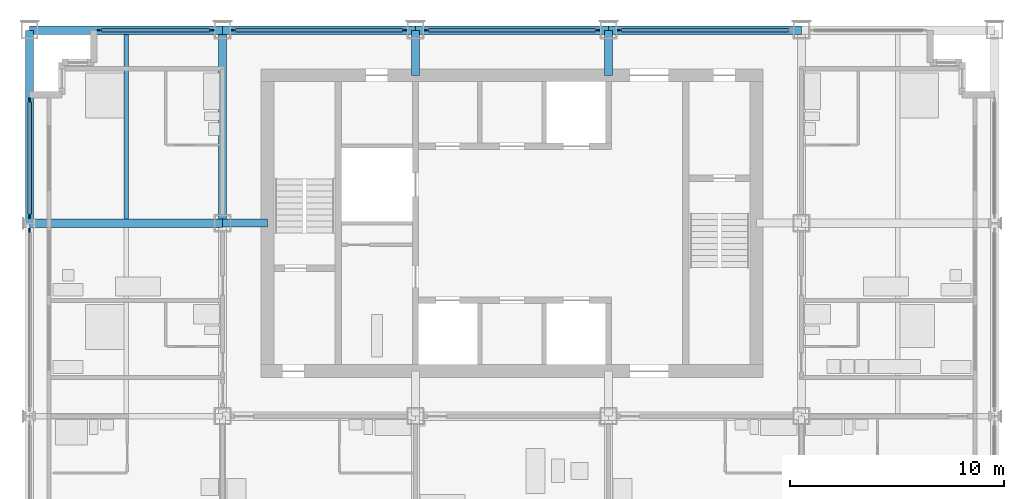
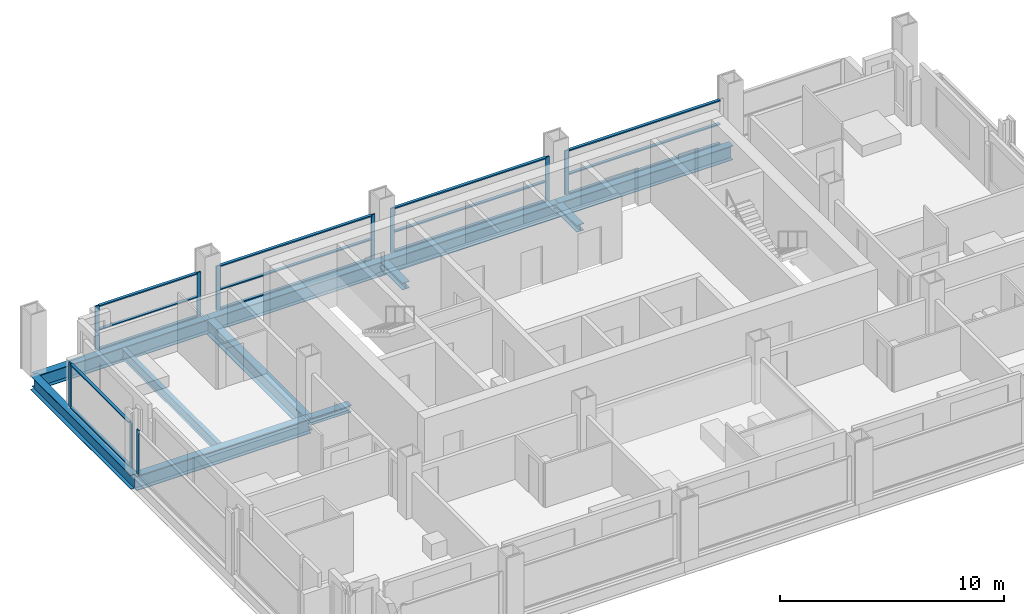
# One storey, part 4 of 13: 27 members, 8 beams, 6 elements without a shape of their own.
"""IFC4 building model written with IfcOpenShell, lengths in metres."""

from ifc_helpers import new_model, si_unit, direction, frame, origin, origin_2d, place, context, subcontext, project, spatial, rectangle, i_section, extrude, material, material_profile, profile_set, type_object, element, aggregate, save


model = new_model("IFC4")

# Units and contexts
model_context = context("Model", 3, precision=1e-05, world=origin(), true_north=direction((0.0, 1.0)))
body_context = subcontext(model_context, "Body", "Model", "MODEL_VIEW")
ifc_project = project(units=[si_unit("LENGTHUNIT", "METRE"), si_unit("AREAUNIT", "SQUARE_METRE"), si_unit("VOLUMEUNIT", "CUBIC_METRE"), si_unit("PLANEANGLEUNIT", "RADIAN"), si_unit("MASSUNIT", "GRAM", prefix="KILO")], contexts=[model_context])

# Site, building, storey
site_placement = place(None, origin())
site = spatial("IfcSite", under=ifc_project, at=site_placement, CompositionType="ELEMENT")
building_placement = place(site_placement, origin())
building = spatial("IfcBuilding", under=site, at=building_placement, Name="Loomwork Tower", CompositionType="ELEMENT")
storey_placement = place(building_placement, frame((0.0, 0.0, 180.800048828125)))
storey = spatial("IfcBuildingStorey", under=building, at=storey_placement, Name="L49", CompositionType="ELEMENT", Elevation=180.800048828125)

# Beams
ifc_material_1 = material(Name="Steel ASTM A992", Category="steel")
ifc_material_profile_1 = material_profile(ifc_material_1, i_section(OverallWidth=0.383544921875, OverallDepth=0.794921875, WebThickness=0.02099609375, FlangeThickness=0.0380859375, at=origin_2d()), Name="W30x235")
ifc_profile_set_1 = profile_set([ifc_material_profile_1], Name="Steel ASTM A992")
beam_type_1 = type_object("IfcBeamType", Name="CORE FLANK GIRDER W30x235", PredefinedType="BEAM", material=ifc_profile_set_1)
for number, where, z_axis, x_axis, name in (
    (1, (0.0, 18.0, -0.59765625), (1.0, 0.0, 0.0), (0.0, 1.0, 0.0), "Core Flank Girder F/2-F/3 L49"),
    (2, (9.0, 18.0, -0.59765625), (0.0, 1.0, 0.0), (-1.0, 0.0, 0.0), "Core Flank Girder F/3-G/3 L49"),
):
    element("IfcBeam", number, at=place(storey_placement, frame(where, z_axis=z_axis, x_axis=x_axis)), inside=storey, type_object=beam_type_1, Name=name, PredefinedType="BEAM", context=body_context, shape_type="SweptSolid", body=[
        extrude(i_section(OverallWidth=0.383544921875, OverallDepth=0.794921875, WebThickness=0.02099609375, FlangeThickness=0.0380859375, at=origin_2d()), origin(), (0.0, 0.0, 1.0), 9.0),
    ])

# Members
ifc_material_2 = material(Name="Steel ASTM A992", Category="steel")
ifc_material_profile_2 = material_profile(ifc_material_2, i_section(OverallWidth=0.373291015625, OverallDepth=0.373291015625, WebThickness=0.016357421875, FlangeThickness=0.026123046875, at=origin_2d()), Name="W14x132")
ifc_profile_set_2 = profile_set([ifc_material_profile_2], Name="Steel ASTM A992")
member_type_1 = type_object("IfcMemberType", Name="CORE LINK STRUT W14x132", PredefinedType="STRUT", material=ifc_profile_set_2)
for number, where, z_axis, x_axis, name in (
    (3, (27.0, 27.0, -0.38671875), (0.0, -1.0, 0.0), (1.0, 0.0, 0.0), "Core link strut G/5-27.000,24.900 L49"),
    (4, (18.0, 27.0, -0.38671875), (0.0, -1.0, 0.0), (1.0, 0.0, 0.0), "Core link strut G/4-18.000,24.900 L49"),
    (5, (9.0, 18.0, -0.38671875), (1.0, 0.0, 0.0), (0.0, 1.0, 0.0), "Core link strut F/3-11.100,18.000 L49"),
):
    element("IfcMember", number, at=place(storey_placement, frame(where, z_axis=z_axis, x_axis=x_axis)), inside=storey, type_object=member_type_1, Name=name, PredefinedType="STRUT", context=body_context, shape_type="SweptSolid", body=[
        extrude(i_section(OverallWidth=0.373291015625, OverallDepth=0.373291015625, WebThickness=0.016357421875, FlangeThickness=0.026123046875, at=origin_2d()), origin(), (0.0, 0.0, 1.0), 2.10009765625),
    ])

# Beam
ifc_material_3 = material(Name="Steel ASTM A992", Category="steel")
ifc_material_profile_3 = material_profile(ifc_material_3, i_section(OverallWidth=0.2109375, OverallDepth=0.53857421875, WebThickness=0.011474609375, FlangeThickness=0.018798828125, at=origin_2d()), Name="W21x73")
ifc_profile_set_3 = profile_set([ifc_material_profile_3], Name="Steel ASTM A992")
beam_type_2 = type_object("IfcBeamType", Name="FLOOR JOIST W21x73", PredefinedType="JOIST", material=ifc_profile_set_3)
beam_placement = place(storey_placement, frame((4.5, 18.19091796875, -0.46923828125), z_axis=(0.0, 1.0, 0.0), x_axis=(-1.0, 0.0, 0.0)))
element("IfcBeam", 6, at=beam_placement, inside=storey, type_object=beam_type_2, Name="Floor Joist 4.500,18.000-4.500,27.000 L49", PredefinedType="JOIST", context=body_context, shape_type="SweptSolid", body=[
    extrude(i_section(OverallWidth=0.2109375, OverallDepth=0.53857421875, WebThickness=0.011474609375, FlangeThickness=0.018798828125, at=origin_2d()), origin(), (0.0, 0.0, 1.0), 8.619140625),
])

# Curtain wall, member
ifc_material_4 = material(Name="Aluminium curtain wall frame", Category="aluminium")
curtain_wall_type_1 = type_object("IfcCurtainWallType", Name="Outer skin glazing hotel", PredefinedType="NOTDEFINED", material=ifc_material_4)
curtain_wall_1_placement = place(storey_placement, origin())
curtain_wall_1 = element("IfcCurtainWall", 7, at=curtain_wall_1_placement, inside=storey, type_object=curtain_wall_type_1, Name="Outer skin glazing hotel cw/W-9", PredefinedType="NOTDEFINED")
ifc_material_5 = material(Name="Aluminium curtain wall frame", Category="aluminium")
ifc_material_profile_4 = material_profile(ifc_material_5, rectangle(XDim=0.06494140625, YDim=0.199951171875, at=origin_2d()), Name="AL 65x200")
ifc_profile_set_4 = profile_set([ifc_material_profile_4], Name="Aluminium curtain wall frame")
member_type_2 = type_object("IfcMemberType", Name="Outer skin glazing hotel mullion", PredefinedType="MULLION", material=ifc_profile_set_4)
member_1_placement = place(storey_placement, frame((0.0, 17.67529296875, 0.0), z_axis=(0.0, 0.0, 1.0), x_axis=(1.0, 0.0, 0.0)))
member_1 = element("IfcMember", 8, at=member_1_placement, type_object=member_type_2, Name="CW1 mullion 1", PredefinedType="MULLION", context=body_context, shape_type="SweptSolid", body=[
    extrude(rectangle(XDim=0.06494140625, YDim=0.199951171875, at=origin_2d()), origin(), (0.0, 0.0, 1.0), 2.420166015625),
])
aggregate(curtain_wall_1, [member_1])

# Curtain wall, members
curtain_wall_2_placement = place(storey_placement, origin())
curtain_wall_2 = element("IfcCurtainWall", 9, at=curtain_wall_2_placement, inside=storey, type_object=curtain_wall_type_1, Name="Outer skin glazing hotel cw/W-18", PredefinedType="NOTDEFINED")
member_2_placement = place(storey_placement, frame((0.0, 23.75, 0.0), z_axis=(0.0, 0.0, 1.0), x_axis=(1.0, 0.0, 0.0)))
member_2 = element("IfcMember", 10, at=member_2_placement, type_object=member_type_2, Name="CW1 mullion 1", PredefinedType="MULLION", context=body_context, shape_type="SweptSolid", body=[
    extrude(rectangle(XDim=0.06494140625, YDim=0.199951171875, at=origin_2d()), origin(), (0.0, 0.0, 1.0), 2.420166015625),
])
member_3_placement = place(storey_placement, frame((0.0, 18.32470703125, 0.0), z_axis=(0.0, 0.0, 1.0), x_axis=(1.0, 0.0, 0.0)))
member_3 = element("IfcMember", 11, at=member_3_placement, type_object=member_type_2, Name="CW1 mullion 2", PredefinedType="MULLION", context=body_context, shape_type="SweptSolid", body=[
    extrude(rectangle(XDim=0.06494140625, YDim=0.199951171875, at=origin_2d()), origin(), (0.0, 0.0, 1.0), 2.420166015625),
])
ifc_material_6 = material(Name="Aluminium curtain wall frame", Category="aluminium")
ifc_material_profile_5 = material_profile(ifc_material_6, rectangle(XDim=0.14990234375, YDim=0.06494140625, at=origin_2d()), Name="AL 65x150")
ifc_profile_set_5 = profile_set([ifc_material_profile_5], Name="Aluminium curtain wall frame")
member_type_3 = type_object("IfcMemberType", Name="Outer skin glazing hotel transom", PredefinedType="USERDEFINED", material=ifc_profile_set_5)
member_4_placement = place(storey_placement, frame((0.0, 23.64990234375, 0.032470703125), z_axis=(0.0, -1.0, 0.0), x_axis=(1.0, 0.0, 0.0)))
member_4 = element("IfcMember", 12, at=member_4_placement, type_object=member_type_3, Name="CW1 transom 1.1", ObjectType="TRANSOM", PredefinedType="USERDEFINED", context=body_context, shape_type="SweptSolid", body=[
    extrude(rectangle(XDim=0.14990234375, YDim=0.06494140625, at=origin_2d()), origin(), (0.0, 0.0, 1.0), 5.22509765625),
])
member_5_placement = place(storey_placement, frame((0.0, 23.64990234375, 2.3876953125), z_axis=(0.0, -1.0, 0.0), x_axis=(1.0, 0.0, 0.0)))
member_5 = element("IfcMember", 13, at=member_5_placement, type_object=member_type_3, Name="CW1 transom 1.2", ObjectType="TRANSOM", PredefinedType="USERDEFINED", context=body_context, shape_type="SweptSolid", body=[
    extrude(rectangle(XDim=0.14990234375, YDim=0.06494140625, at=origin_2d()), origin(), (0.0, 0.0, 1.0), 5.22509765625),
])
aggregate(curtain_wall_2, [member_2, member_3, member_4, member_5])

# Beams
ifc_material_7 = material(Name="Steel ASTM A992", Category="steel")
ifc_material_profile_6 = material_profile(ifc_material_7, i_section(OverallWidth=0.381103515625, OverallDepth=0.77978515625, WebThickness=0.01806640625, FlangeThickness=0.0302734375, at=origin_2d()), Name="W30x191")
ifc_profile_set_6 = profile_set([ifc_material_profile_6], Name="Steel ASTM A992")
beam_type_3 = type_object("IfcBeamType", Name="SPANDREL GIRDER W30x191", PredefinedType="SPANDREL", material=ifc_profile_set_6)
for number, where, z_axis, x_axis, name in (
    (14, (0.0, 27.0, -0.58984375), (1.0, 0.0, 0.0), (0.0, 1.0, 0.0), "Spandrel Girder G/2-G/3 L49"),
    (15, (9.0, 27.0, -0.58984375), (1.0, 0.0, 0.0), (0.0, 1.0, 0.0), "Spandrel Girder G/3-G/4 L49"),
    (16, (18.0, 27.0, -0.58984375), (1.0, 0.0, 0.0), (0.0, 1.0, 0.0), "Spandrel Girder G/4-G/5 L49"),
    (17, (27.0, 27.0, -0.58984375), (1.0, 0.0, 0.0), (0.0, 1.0, 0.0), "Spandrel Girder G/5-G/6 L49"),
    (18, (0.0, 18.0, -0.58984375), (0.0, 1.0, 0.0), (-1.0, 0.0, 0.0), "Spandrel Girder F/2-G/2 L49"),
):
    element("IfcBeam", number, at=place(storey_placement, frame(where, z_axis=z_axis, x_axis=x_axis)), inside=storey, type_object=beam_type_3, Name=name, PredefinedType="SPANDREL", context=body_context, shape_type="SweptSolid", body=[
        extrude(i_section(OverallWidth=0.381103515625, OverallDepth=0.77978515625, WebThickness=0.01806640625, FlangeThickness=0.0302734375, at=origin_2d()), origin(), (0.0, 0.0, 1.0), 9.0),
    ])

# Curtain wall, members
ifc_material_8 = material(Name="Aluminium curtain wall frame", Category="aluminium")
curtain_wall_type_2 = type_object("IfcCurtainWallType", Name="Single skin glazing corridor", PredefinedType="NOTDEFINED", material=ifc_material_8)
curtain_wall_3_placement = place(storey_placement, origin())
curtain_wall_3 = element("IfcCurtainWall", 19, at=curtain_wall_3_placement, inside=storey, type_object=curtain_wall_type_2, Name="Single skin glazing corridor cw/N-0", PredefinedType="NOTDEFINED")
ifc_material_9 = material(Name="Aluminium curtain wall frame", Category="aluminium")
ifc_material_profile_7 = material_profile(ifc_material_9, rectangle(XDim=0.06494140625, YDim=0.199951171875, at=origin_2d()), Name="AL 65x200")
ifc_profile_set_7 = profile_set([ifc_material_profile_7], Name="Aluminium curtain wall frame")
member_type_4 = type_object("IfcMemberType", Name="Single skin glazing corridor mullion", PredefinedType="MULLION", material=ifc_profile_set_7)
member_6_placement = place(storey_placement, frame((8.5, 27.0, 0.0), z_axis=(0.0, 0.0, 1.0), x_axis=(0.0, -1.0, 0.0)))
member_6 = element("IfcMember", 20, at=member_6_placement, type_object=member_type_4, Name="CW3 mullion 1", PredefinedType="MULLION", context=body_context, shape_type="SweptSolid", body=[
    extrude(rectangle(XDim=0.06494140625, YDim=0.199951171875, at=origin_2d()), origin(), (0.0, 0.0, 1.0), 2.420166015625),
])
member_7_placement = place(storey_placement, frame((3.25, 27.0, 0.0), z_axis=(0.0, 0.0, 1.0), x_axis=(0.0, -1.0, 0.0)))
member_7 = element("IfcMember", 21, at=member_7_placement, type_object=member_type_4, Name="CW3 mullion 2", PredefinedType="MULLION", context=body_context, shape_type="SweptSolid", body=[
    extrude(rectangle(XDim=0.06494140625, YDim=0.199951171875, at=origin_2d()), origin(), (0.0, 0.0, 1.0), 2.420166015625),
])

curtain_wall_4_placement = place(storey_placement, origin())
curtain_wall_4 = element("IfcCurtainWall", 22, at=curtain_wall_4_placement, inside=storey, type_object=curtain_wall_type_2, Name="Single skin glazing corridor cw/N-9", PredefinedType="NOTDEFINED")
member_8_placement = place(storey_placement, frame((17.5, 27.0, 0.0), z_axis=(0.0, 0.0, 1.0), x_axis=(0.0, -1.0, 0.0)))
member_8 = element("IfcMember", 23, at=member_8_placement, type_object=member_type_4, Name="CW3 mullion 1", PredefinedType="MULLION", context=body_context, shape_type="SweptSolid", body=[
    extrude(rectangle(XDim=0.06494140625, YDim=0.199951171875, at=origin_2d()), origin(), (0.0, 0.0, 1.0), 2.420166015625),
])
member_9_placement = place(storey_placement, frame((9.5, 27.0, 0.0), z_axis=(0.0, 0.0, 1.0), x_axis=(0.0, -1.0, 0.0)))
member_9 = element("IfcMember", 24, at=member_9_placement, type_object=member_type_4, Name="CW3 mullion 2", PredefinedType="MULLION", context=body_context, shape_type="SweptSolid", body=[
    extrude(rectangle(XDim=0.06494140625, YDim=0.199951171875, at=origin_2d()), origin(), (0.0, 0.0, 1.0), 2.420166015625),
])

curtain_wall_5_placement = place(storey_placement, origin())
curtain_wall_5 = element("IfcCurtainWall", 25, at=curtain_wall_5_placement, inside=storey, type_object=curtain_wall_type_2, Name="Single skin glazing corridor cw/N-18", PredefinedType="NOTDEFINED")
member_10_placement = place(storey_placement, frame((26.5, 27.0, 0.0), z_axis=(0.0, 0.0, 1.0), x_axis=(0.0, -1.0, 0.0)))
member_10 = element("IfcMember", 26, at=member_10_placement, type_object=member_type_4, Name="CW3 mullion 1", PredefinedType="MULLION", context=body_context, shape_type="SweptSolid", body=[
    extrude(rectangle(XDim=0.06494140625, YDim=0.199951171875, at=origin_2d()), origin(), (0.0, 0.0, 1.0), 2.420166015625),
])
member_11_placement = place(storey_placement, frame((18.5, 27.0, 0.0), z_axis=(0.0, 0.0, 1.0), x_axis=(0.0, -1.0, 0.0)))
member_11 = element("IfcMember", 27, at=member_11_placement, type_object=member_type_4, Name="CW3 mullion 2", PredefinedType="MULLION", context=body_context, shape_type="SweptSolid", body=[
    extrude(rectangle(XDim=0.06494140625, YDim=0.199951171875, at=origin_2d()), origin(), (0.0, 0.0, 1.0), 2.420166015625),
])

# Curtain wall, member
curtain_wall_6_placement = place(storey_placement, origin())
curtain_wall_6 = element("IfcCurtainWall", 28, at=curtain_wall_6_placement, inside=storey, type_object=curtain_wall_type_2, Name="Single skin glazing corridor cw/N-27", PredefinedType="NOTDEFINED")
member_12_placement = place(storey_placement, frame((27.5, 27.0, 0.0), z_axis=(0.0, 0.0, 1.0), x_axis=(0.0, -1.0, 0.0)))
member_12 = element("IfcMember", 29, at=member_12_placement, type_object=member_type_4, Name="CW3 mullion 2", PredefinedType="MULLION", context=body_context, shape_type="SweptSolid", body=[
    extrude(rectangle(XDim=0.06494140625, YDim=0.199951171875, at=origin_2d()), origin(), (0.0, 0.0, 1.0), 2.420166015625),
])

# Member
ifc_material_10 = material(Name="Aluminium curtain wall frame", Category="aluminium")
ifc_material_profile_8 = material_profile(ifc_material_10, rectangle(XDim=0.14990234375, YDim=0.06494140625, at=origin_2d()), Name="AL 65x150")
ifc_profile_set_8 = profile_set([ifc_material_profile_8], Name="Aluminium curtain wall frame")
member_type_5 = type_object("IfcMemberType", Name="Single skin glazing corridor transom", PredefinedType="USERDEFINED", material=ifc_profile_set_8)
member_13_placement = place(storey_placement, frame((8.39990234375, 27.0, 0.032470703125), z_axis=(-1.0, 0.0, 0.0), x_axis=(0.0, -1.0, 0.0)))
member_13 = element("IfcMember", 30, at=member_13_placement, type_object=member_type_5, Name="CW3 transom 1.1", ObjectType="TRANSOM", PredefinedType="USERDEFINED", context=body_context, shape_type="SweptSolid", body=[
    extrude(rectangle(XDim=0.14990234375, YDim=0.06494140625, at=origin_2d()), origin(), (0.0, 0.0, 1.0), 5.0498046875),
])

member_14_placement = place(storey_placement, frame((8.39990234375, 27.0, 1.099853515625), z_axis=(-1.0, 0.0, 0.0), x_axis=(0.0, -1.0, 0.0)))
member_14 = element("IfcMember", 31, at=member_14_placement, type_object=member_type_5, Name="CW3 transom 1.2", ObjectType="TRANSOM", PredefinedType="USERDEFINED", context=body_context, shape_type="SweptSolid", body=[
    extrude(rectangle(XDim=0.14990234375, YDim=0.06494140625, at=origin_2d()), origin(), (0.0, 0.0, 1.0), 5.0498046875),
])

member_15_placement = place(storey_placement, frame((8.39990234375, 27.0, 2.3876953125), z_axis=(-1.0, 0.0, 0.0), x_axis=(0.0, -1.0, 0.0)))
member_15 = element("IfcMember", 32, at=member_15_placement, type_object=member_type_5, Name="CW3 transom 1.3", ObjectType="TRANSOM", PredefinedType="USERDEFINED", context=body_context, shape_type="SweptSolid", body=[
    extrude(rectangle(XDim=0.14990234375, YDim=0.06494140625, at=origin_2d()), origin(), (0.0, 0.0, 1.0), 5.0498046875),
])

aggregate(curtain_wall_3, [member_6, member_7, member_13, member_14, member_15])

member_16_placement = place(storey_placement, frame((17.39990234375, 27.0, 0.032470703125), z_axis=(-1.0, 0.0, 0.0), x_axis=(0.0, -1.0, 0.0)))
member_16 = element("IfcMember", 33, at=member_16_placement, type_object=member_type_5, Name="CW3 transom 1.1", ObjectType="TRANSOM", PredefinedType="USERDEFINED", context=body_context, shape_type="SweptSolid", body=[
    extrude(rectangle(XDim=0.14990234375, YDim=0.06494140625, at=origin_2d()), origin(), (0.0, 0.0, 1.0), 7.7998046875),
])

member_17_placement = place(storey_placement, frame((17.39990234375, 27.0, 1.099853515625), z_axis=(-1.0, 0.0, 0.0), x_axis=(0.0, -1.0, 0.0)))
member_17 = element("IfcMember", 34, at=member_17_placement, type_object=member_type_5, Name="CW3 transom 1.2", ObjectType="TRANSOM", PredefinedType="USERDEFINED", context=body_context, shape_type="SweptSolid", body=[
    extrude(rectangle(XDim=0.14990234375, YDim=0.06494140625, at=origin_2d()), origin(), (0.0, 0.0, 1.0), 7.7998046875),
])

member_18_placement = place(storey_placement, frame((17.39990234375, 27.0, 2.3876953125), z_axis=(-1.0, 0.0, 0.0), x_axis=(0.0, -1.0, 0.0)))
member_18 = element("IfcMember", 35, at=member_18_placement, type_object=member_type_5, Name="CW3 transom 1.3", ObjectType="TRANSOM", PredefinedType="USERDEFINED", context=body_context, shape_type="SweptSolid", body=[
    extrude(rectangle(XDim=0.14990234375, YDim=0.06494140625, at=origin_2d()), origin(), (0.0, 0.0, 1.0), 7.7998046875),
])

aggregate(curtain_wall_4, [member_8, member_9, member_16, member_17, member_18])

member_19_placement = place(storey_placement, frame((26.39990234375, 27.0, 0.032470703125), z_axis=(-1.0, 0.0, 0.0), x_axis=(0.0, -1.0, 0.0)))
member_19 = element("IfcMember", 36, at=member_19_placement, type_object=member_type_5, Name="CW3 transom 1.1", ObjectType="TRANSOM", PredefinedType="USERDEFINED", context=body_context, shape_type="SweptSolid", body=[
    extrude(rectangle(XDim=0.14990234375, YDim=0.06494140625, at=origin_2d()), origin(), (0.0, 0.0, 1.0), 7.7998046875),
])

member_20_placement = place(storey_placement, frame((26.39990234375, 27.0, 1.099853515625), z_axis=(-1.0, 0.0, 0.0), x_axis=(0.0, -1.0, 0.0)))
member_20 = element("IfcMember", 37, at=member_20_placement, type_object=member_type_5, Name="CW3 transom 1.2", ObjectType="TRANSOM", PredefinedType="USERDEFINED", context=body_context, shape_type="SweptSolid", body=[
    extrude(rectangle(XDim=0.14990234375, YDim=0.06494140625, at=origin_2d()), origin(), (0.0, 0.0, 1.0), 7.7998046875),
])

member_21_placement = place(storey_placement, frame((26.39990234375, 27.0, 2.3876953125), z_axis=(-1.0, 0.0, 0.0), x_axis=(0.0, -1.0, 0.0)))
member_21 = element("IfcMember", 38, at=member_21_placement, type_object=member_type_5, Name="CW3 transom 1.3", ObjectType="TRANSOM", PredefinedType="USERDEFINED", context=body_context, shape_type="SweptSolid", body=[
    extrude(rectangle(XDim=0.14990234375, YDim=0.06494140625, at=origin_2d()), origin(), (0.0, 0.0, 1.0), 7.7998046875),
])

aggregate(curtain_wall_5, [member_10, member_11, member_19, member_20, member_21])

member_22_placement = place(storey_placement, frame((35.39990234375, 27.0, 0.032470703125), z_axis=(-1.0, 0.0, 0.0), x_axis=(0.0, -1.0, 0.0)))
member_22 = element("IfcMember", 39, at=member_22_placement, type_object=member_type_5, Name="CW3 transom 1.1", ObjectType="TRANSOM", PredefinedType="USERDEFINED", context=body_context, shape_type="SweptSolid", body=[
    extrude(rectangle(XDim=0.14990234375, YDim=0.06494140625, at=origin_2d()), origin(), (0.0, 0.0, 1.0), 7.7998046875),
])

member_23_placement = place(storey_placement, frame((35.39990234375, 27.0, 1.099853515625), z_axis=(-1.0, 0.0, 0.0), x_axis=(0.0, -1.0, 0.0)))
member_23 = element("IfcMember", 40, at=member_23_placement, type_object=member_type_5, Name="CW3 transom 1.2", ObjectType="TRANSOM", PredefinedType="USERDEFINED", context=body_context, shape_type="SweptSolid", body=[
    extrude(rectangle(XDim=0.14990234375, YDim=0.06494140625, at=origin_2d()), origin(), (0.0, 0.0, 1.0), 7.7998046875),
])

member_24_placement = place(storey_placement, frame((35.39990234375, 27.0, 2.3876953125), z_axis=(-1.0, 0.0, 0.0), x_axis=(0.0, -1.0, 0.0)))
member_24 = element("IfcMember", 41, at=member_24_placement, type_object=member_type_5, Name="CW3 transom 1.3", ObjectType="TRANSOM", PredefinedType="USERDEFINED", context=body_context, shape_type="SweptSolid", body=[
    extrude(rectangle(XDim=0.14990234375, YDim=0.06494140625, at=origin_2d()), origin(), (0.0, 0.0, 1.0), 7.7998046875),
])

aggregate(curtain_wall_6, [member_12, member_22, member_23, member_24])

save(model, "model.ifc")
